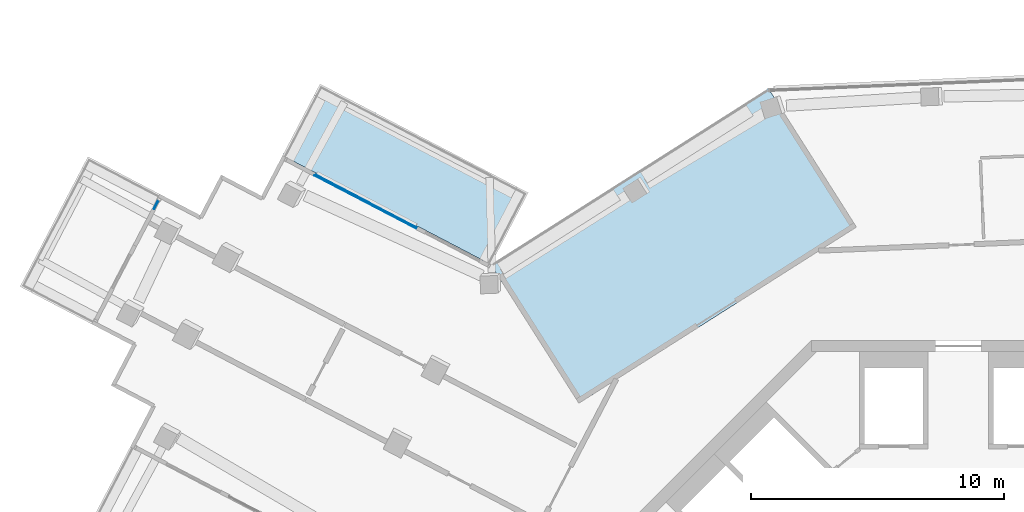
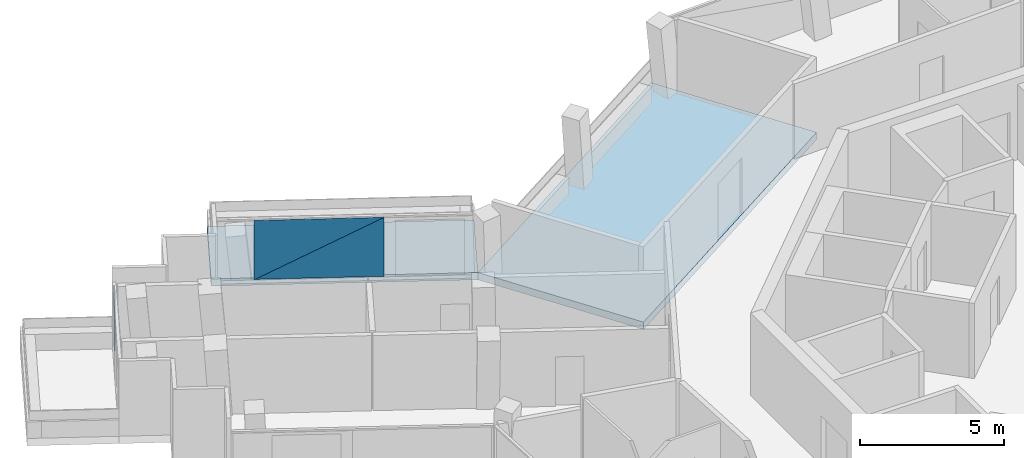
# One storey, part 12 of 23: 3 plates, 2 slabs, 2 elements without a shape of their own.
"""IFC4 building model written with IfcOpenShell, lengths in metres."""

import ifcopenshell
import ifcopenshell.guid

model = None  # the IFC model being written
_history = None  # IfcOwnerHistory: only IFC2X3 demands one
_inside = {}  # id of a spatial element -> (the spatial element, [elements in it])
_under = {}  # id of a project, library or spatial element -> (it, [spatial elements below it])
_declared = {}  # id of a project -> (the project, [libraries it declares])
_typed = {}  # id of a type object -> (the type object, [elements of that type])
_made_of = {}  # id of a material, layer set ... -> (it, [elements and type objects made of it])


def new_model(schema):
    """Start an empty IFC model of exactly this schema.

    Asked for "IFC4X3", IfcOpenShell would pick the latest addendum, in which some entities
    have other attributes; the version numbers below select the first issue.
    IFC2X3 requires an IfcOwnerHistory on every rooted entity: one is made here for all.
    """
    global model, _history
    if schema == "IFC4X3":
        model = ifcopenshell.file(schema_version=(4, 3, 0, 0))
    else:
        model = ifcopenshell.file(schema=schema)
    _inside.clear()
    _under.clear()
    _declared.clear()
    _typed.clear()
    _made_of.clear()
    _history = None
    if model.schema == "IFC2X3":
        org = make("IfcOrganization", Name="unknown")
        user = make(
            "IfcPersonAndOrganization",
            ThePerson=make("IfcPerson", FamilyName="unknown"),
            TheOrganization=org,
        )
        app = make(
            "IfcApplication",
            ApplicationDeveloper=org,
            Version="unknown",
            ApplicationFullName="unknown",
            ApplicationIdentifier="unknown",
        )
        _history = make(
            "IfcOwnerHistory",
            OwningUser=user,
            OwningApplication=app,
            ChangeAction="ADDED",
            CreationDate=0,
        )
    return model


def make(cls, **values):
    """One entity of the class cls with the attributes given. An attribute that is None is left unset."""
    return model.create_entity(
        cls, **{name: value for name, value in values.items() if value is not None}
    )


def rooted(cls, **values):
    """An entity with a GlobalId (a new one), such as an element, a storey or a relation."""
    return make(cls, GlobalId=ifcopenshell.guid.new(), OwnerHistory=_history, **values)


def si_unit(unit_type, name, prefix=None):
    """IfcSIUnit, for example si_unit("LENGTHUNIT", "METRE", prefix="MILLI")."""
    return make("IfcSIUnit", UnitType=unit_type, Prefix=prefix, Name=name)


def assignment(units):
    """IfcUnitAssignment: the units of a project."""
    return None if units is None else make("IfcUnitAssignment", Units=units)


def point(xyz):
    """IfcCartesianPoint."""
    return None if xyz is None else make("IfcCartesianPoint", Coordinates=xyz)


def direction(xyz):
    """IfcDirection."""
    return None if xyz is None else make("IfcDirection", DirectionRatios=xyz)


def frame(location, z_axis=None, x_axis=None):
    """IfcAxis2Placement3D, a coordinate frame: its origin and axes. An axis left out is left unset."""
    return make(
        "IfcAxis2Placement3D",
        Location=point(location),
        Axis=direction(z_axis),
        RefDirection=direction(x_axis),
    )


def frame_2d(location, x_axis=None):
    """IfcAxis2Placement2D, a coordinate frame in the plane: its origin and x axis."""
    return make(
        "IfcAxis2Placement2D", Location=point(location), RefDirection=direction(x_axis)
    )


def origin():
    """The frame at (0, 0, 0) with its axes left unset."""
    return frame((0.0, 0.0, 0.0))


def origin_2d():
    """The frame at (0, 0) in the plane with its x axis left unset."""
    return frame_2d((0.0, 0.0))


def place(relative_to, where):
    """IfcLocalPlacement: puts the frame where relative to a parent placement (None: the world)."""
    return make(
        "IfcLocalPlacement", PlacementRelTo=relative_to, RelativePlacement=where
    )


def context(
    kind, dimensions, precision=None, world=None, true_north=None, identifier=None
):
    """IfcGeometricRepresentationContext, for example the 3D "Model" context."""
    return make(
        "IfcGeometricRepresentationContext",
        ContextIdentifier=identifier,
        ContextType=kind,
        CoordinateSpaceDimension=dimensions,
        Precision=precision,
        WorldCoordinateSystem=world,
        TrueNorth=true_north,
    )


def subcontext(parent, identifier, kind, view, scale=None):
    """IfcGeometricRepresentationSubContext, for example "Body" below "Model"."""
    return make(
        "IfcGeometricRepresentationSubContext",
        ContextIdentifier=identifier,
        ContextType=kind,
        ParentContext=parent,
        TargetScale=scale,
        TargetView=view,
    )


def project(units=None, contexts=None):
    """IfcProject with its units and contexts."""
    return rooted(
        "IfcProject",
        Name="project",
        RepresentationContexts=contexts,
        UnitsInContext=assignment(units),
    )


def spatial(cls, under=None, at=None, **own):
    """A site, building, storey or space (cls), placed at a placement, below another one or the project."""
    s = rooted(cls, ObjectPlacement=at, **own)
    if under is not None:
        _under.setdefault(under.id(), (under, []))[1].append(s)
    return s


def polyline(points):
    """IfcPolyline through the points."""
    return make("IfcPolyline", Points=[point(p) for p in points])


def profile(cls, at=None, kind="AREA", **sizes):
    """A parametric profile (cls). Its sizes go by their IFC names, for example OverallWidth=200.0."""
    return make(cls, ProfileType=kind, Position=at, **sizes)


def rectangle(**sizes):
    """IfcRectangleProfileDef."""
    return profile("IfcRectangleProfileDef", **sizes)


def outline(outer, holes=None, kind="AREA"):
    """IfcArbitraryClosedProfileDef: a profile drawn as a closed curve; with holes, ...WithVoids."""
    if holes is None:
        return make("IfcArbitraryClosedProfileDef", ProfileType=kind, OuterCurve=outer)
    return make(
        "IfcArbitraryProfileDefWithVoids",
        ProfileType=kind,
        OuterCurve=outer,
        InnerCurves=holes,
    )


def extrude(swept, where, along, depth):
    """IfcExtrudedAreaSolid: the profile swept, set in the frame where, extruded along a direction by depth."""
    return make(
        "IfcExtrudedAreaSolid",
        SweptArea=swept,
        Position=where,
        ExtrudedDirection=direction(along),
        Depth=depth,
    )


def shape(context_of_items, identifier, shape_type, items):
    """IfcShapeRepresentation: the items that make up one representation, for example the "Body"."""
    return make(
        "IfcShapeRepresentation",
        ContextOfItems=context_of_items,
        RepresentationIdentifier=identifier,
        RepresentationType=shape_type,
        Items=items,
    )


def material(Name=None, Category=None):
    """IfcMaterial."""
    return make("IfcMaterial", Name=Name, Category=Category)


def layer(
    of_material, thickness, ventilated=None, Name=None, Category=None, Priority=None
):
    """IfcMaterialLayer: one layer of a wall or slab, of a material (None: an air gap)."""
    return make(
        "IfcMaterialLayer",
        Material=of_material,
        LayerThickness=thickness,
        IsVentilated=ventilated,
        Name=Name,
        Category=Category,
        Priority=Priority,
    )


def layer_set(layers, Name=None):
    """IfcMaterialLayerSet."""
    return make("IfcMaterialLayerSet", MaterialLayers=layers, LayerSetName=Name)


def made_of(thing, what):
    """Note that an element or type object is made of a material, layer set ...; save() writes the relation."""
    if what is not None:
        _made_of.setdefault(what.id(), (what, []))[1].append(thing)
    return thing


def type_object(cls, material=None, **own):
    """A type object (cls), such as IfcWallType, which elements share."""
    return made_of(rooted(cls, **own), material)


def element(
    cls,
    number,
    at=None,
    inside=None,
    cuts=None,
    type_object=None,
    material=None,
    context=None,
    identifier="Body",
    shape_type=None,
    held_by="IfcProductDefinitionShape",
    body=None,
    shapes=None,
    **own,
):
    """One element of the class cls, such as IfcWall. Its Tag is "e" and its number.

    at: its placement. inside: the storey or other place that contains it. cuts: it is an
    opening in that element (IfcRelVoidsElement). A single representation is given by context,
    identifier, shape_type and body (its items); several are given by shapes. held_by: the class
    of the entity that holds the representations. save() writes the other relations.
    """
    e = rooted(cls, Tag="e%d" % number, ObjectPlacement=at, **own)
    if body is not None:
        shapes = [shape(context, identifier, shape_type, body)]
    if shapes is not None:
        e.Representation = make(held_by, Representations=shapes)
    if inside is not None:
        _inside.setdefault(inside.id(), (inside, []))[1].append(e)
    if cuts is not None:
        rooted(
            "IfcRelVoidsElement", RelatingBuildingElement=cuts, RelatedOpeningElement=e
        )
    if type_object is not None:
        _typed.setdefault(type_object.id(), (type_object, []))[1].append(e)
    return made_of(e, material)


def aggregate(whole, parts):
    """IfcRelAggregates: a whole, such as a stair, and the parts it consists of."""
    return rooted("IfcRelAggregates", RelatingObject=whole, RelatedObjects=parts)


def save(model, path):
    """Write the relations noted so far, then the file.

    IfcRelAggregates (storeys below a building ...), IfcRelContainedInSpatialStructure (elements
    in a storey), IfcRelDefinesByType, IfcRelAssociatesMaterial and IfcRelDeclares: one each for
    every whole, place, type object, material and project.
    """
    for whole, parts in _under.values():
        aggregate(whole, parts)
    for where, things in _inside.values():
        rooted(
            "IfcRelContainedInSpatialStructure",
            RelatedElements=things,
            RelatingStructure=where,
        )
    for kind, things in _typed.values():
        rooted("IfcRelDefinesByType", RelatedObjects=things, RelatingType=kind)
    for what, things in _made_of.values():
        rooted("IfcRelAssociatesMaterial", RelatedObjects=things, RelatingMaterial=what)
    for by, libraries in _declared.values():
        rooted("IfcRelDeclares", RelatingContext=by, RelatedDefinitions=libraries)
    model.write(path)


model = new_model("IFC4")

# Units and contexts
model_context = context("Model", 3, precision=1e-05, world=origin(), true_north=direction((0.0, 1.0)))
body_context = subcontext(model_context, "Body", "Model", "MODEL_VIEW")
ifc_project = project(units=[si_unit("LENGTHUNIT", "METRE"), si_unit("AREAUNIT", "SQUARE_METRE"), si_unit("VOLUMEUNIT", "CUBIC_METRE"), si_unit("PLANEANGLEUNIT", "RADIAN"), si_unit("MASSUNIT", "GRAM", prefix="KILO")], contexts=[model_context])

# Site, building, storey
site_placement = place(None, origin())
site = spatial("IfcSite", under=ifc_project, at=site_placement, CompositionType="ELEMENT")
building_placement = place(site_placement, origin())
building = spatial("IfcBuilding", under=site, at=building_placement, Name="Verdalira Terraces Hotel", CompositionType="ELEMENT")
storey_placement = place(building_placement, frame((0.0, 0.0, 288.0)))
storey = spatial("IfcBuildingStorey", under=building, at=storey_placement, Name="L71", CompositionType="ELEMENT", Elevation=288.0)

# Slab
ifc_material_1 = material(Name="Precast concrete C40/50", Category="concrete")
ifc_layer_1 = layer(ifc_material_1, 0.31005859375)
ifc_layer_set_1 = layer_set([ifc_layer_1], Name="Balcony deck 310")
slab_type_1 = type_object("IfcSlabType", Name="Balcony deck 310", PredefinedType="FLOOR", material=ifc_layer_set_1)
slab_1_placement = place(storey_placement, frame((0.0, 0.0, -0.310059)))
element("IfcSlab", 1, at=slab_1_placement, inside=storey, type_object=slab_type_1, Name="Balcony deck", PredefinedType="FLOOR", context=body_context, shape_type="SweptSolid", body=[
    extrude(outline(polyline([(-25.23877, 24.140137), (-26.721436, 21.304199), (-18.486328, 16.999023), (-17.003906, 19.834961), (-25.23877, 24.140137)])), origin(), (0.0, 0.0, 1.0), 0.310059),
])

# Curtain wall, plates
ifc_material_2 = material(Name="Clear glass", Category="glass")
ifc_layer_2 = layer(ifc_material_2, 0.14990234375)
ifc_layer_set_2 = layer_set([ifc_layer_2], Name="CW2 curtain wall")
curtain_wall_type_1 = type_object("IfcCurtainWallType", Name="CW2 curtain wall", PredefinedType="NOTDEFINED", material=ifc_layer_set_2)
curtain_wall_1_placement = place(storey_placement, origin())
curtain_wall_1 = element("IfcCurtainWall", 2, at=curtain_wall_1_placement, inside=storey, type_object=curtain_wall_type_1, Name="CW2 curtain wall L71 edge 0", PredefinedType="NOTDEFINED")
ifc_material_3 = material(Name="Clear glass", Category="glass")
ifc_layer_3 = layer(ifc_material_3, 0.031982421875)
ifc_layer_set_3 = layer_set([ifc_layer_3], Name="CW2 glass unit 32")
plate_type_1 = type_object("IfcPlateType", Name="CW2 glass unit 32", PredefinedType="CURTAIN_PANEL", material=ifc_layer_set_3)
plate_1_placement = place(storey_placement, frame((-23.43457, 19.483398, 1.262451), z_axis=(0.463296035, 0.886203579, 0.0), x_axis=(-0.886203579, 0.463296035, 0.0)))
plate_1 = element("IfcPlate", 3, at=plate_1_placement, type_object=plate_type_1, Name="CW2 glass unit", PredefinedType="CURTAIN_PANEL", context=body_context, shape_type="SweptSolid", body=[
    extrude(outline(polyline([(-2.266113, -1.262451), (2.266113, -1.262451), (-2.266113, 1.262451), (-2.266113, -1.262451)])), origin(), (0.0, 0.0, 1.0), 0.031982),
])
plate_2_placement = place(storey_placement, frame((-23.449951, 19.454102, 1.262451), z_axis=(0.463296035, 0.886203579, 0.0), x_axis=(-0.886203579, 0.463296035, 0.0)))
plate_2 = element("IfcPlate", 4, at=plate_2_placement, type_object=plate_type_1, Name="CW2 glass unit", PredefinedType="CURTAIN_PANEL", context=body_context, shape_type="SweptSolid", body=[
    extrude(outline(polyline([(2.266113, -1.262451), (2.266113, 1.262451), (-2.266113, 1.262451), (2.266113, -1.262451)])), origin(), (0.0, 0.0, 1.0), 0.031982),
])
aggregate(curtain_wall_1, [plate_1, plate_2])

# Curtain wall, plate
ifc_material_4 = material(Name="Clear glass", Category="glass")
ifc_layer_4 = layer(ifc_material_4, 0.14990234375)
ifc_layer_set_4 = layer_set([ifc_layer_4], Name="CW3 curtain wall")
curtain_wall_type_2 = type_object("IfcCurtainWallType", Name="CW3 curtain wall", PredefinedType="NOTDEFINED", material=ifc_layer_set_4)
curtain_wall_2_placement = place(storey_placement, origin())
curtain_wall_2 = element("IfcCurtainWall", 5, at=curtain_wall_2_placement, inside=storey, type_object=curtain_wall_type_2, Name="CW3 curtain wall L71 edge 5", PredefinedType="NOTDEFINED")
ifc_material_5 = material(Name="Clear glass", Category="glass")
ifc_layer_5 = layer(ifc_material_5, 0.035888671875)
ifc_layer_set_5 = layer_set([ifc_layer_5], Name="CW3 glass unit 36")
plate_type_2 = type_object("IfcPlateType", Name="CW3 glass unit 36", PredefinedType="CURTAIN_PANEL", material=ifc_layer_set_5)
plate_3_placement = place(storey_placement, frame((-31.712158, 19.365967, 0.0), z_axis=(0.0, 0.0, 1.0), x_axis=(-0.463296035, -0.886203579, 0.0)))
plate_3 = element("IfcPlate", 6, at=plate_3_placement, type_object=plate_type_2, Name="CW3 glass unit", PredefinedType="CURTAIN_PANEL", context=body_context, shape_type="SweptSolid", body=[
    extrude(rectangle(XDim=0.399902, YDim=0.035889, at=origin_2d()), origin(), (0.0, 0.0, 1.0), 2.524902),
])
aggregate(curtain_wall_2, [plate_3])

# Slab
ifc_material_6 = material(Name="Concrete C40", Category="concrete")
ifc_layer_6 = layer(ifc_material_6, 0.31005859375)
ifc_layer_set_6 = layer_set([ifc_layer_6], Name="Loggia floor deck 310 C40")
slab_type_2 = type_object("IfcSlabType", Name="Loggia floor deck 310 C40", PredefinedType="FLOOR", material=ifc_layer_set_6)
slab_2_placement = place(storey_placement, frame((0.0, 0.0, -0.310059)))
element("IfcSlab", 7, at=slab_2_placement, inside=storey, type_object=slab_type_2, Name="Loggia deck L71", PredefinedType="FLOOR", context=body_context, shape_type="SweptSolid", body=[
    extrude(outline(polyline([(-4.027344, 18.476807), (-7.51001, 23.964844), (-18.486328, 16.999023), (-15.003418, 11.510986), (-4.027344, 18.476807)])), origin(), (0.0, 0.0, 1.0), 0.310059),
])

save(model, "model.ifc")
